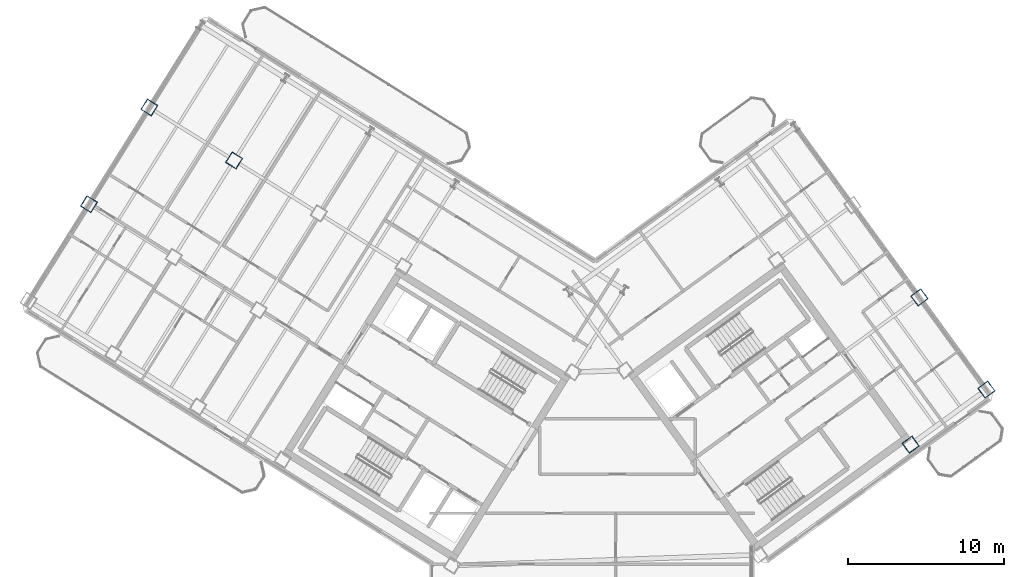
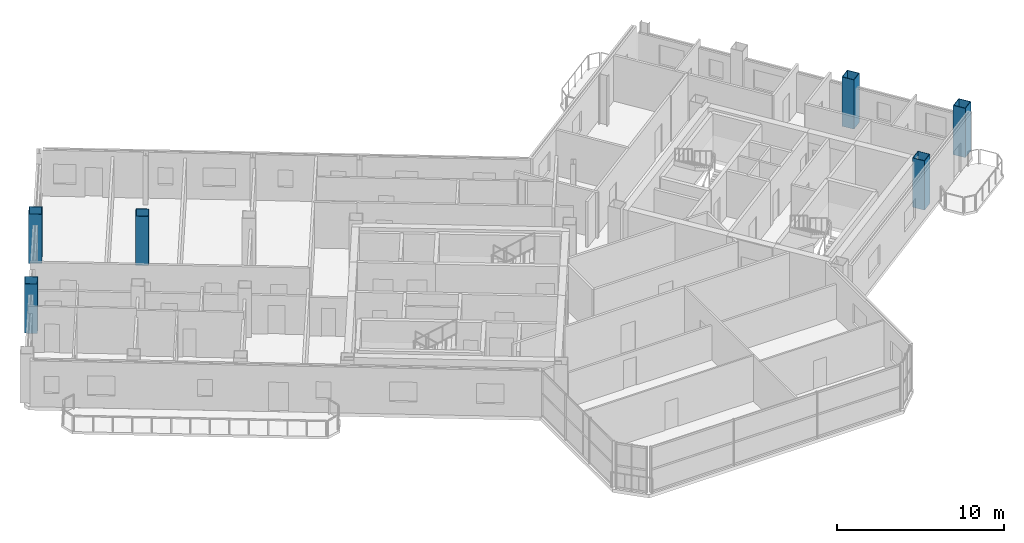
# One storey, part 2 of 21: 6 columns.
"""IFC4 building model written with IfcOpenShell, lengths in metres."""

from ifc_helpers import new_model, si_unit, direction, frame, origin, origin_2d, place, context, subcontext, project, spatial, hollow_rectangle, extrude, source, transform, mapped, material, material_profile, profile_set, type_object, element, save


model = new_model("IFC4")

# Units and contexts
model_context = context("Model", 3, precision=1e-05, world=origin(), true_north=direction((0.0, 1.0)))
body_context = subcontext(model_context, "Body", "Model", "MODEL_VIEW")
ifc_project = project(units=[si_unit("LENGTHUNIT", "METRE"), si_unit("AREAUNIT", "SQUARE_METRE"), si_unit("VOLUMEUNIT", "CUBIC_METRE"), si_unit("PLANEANGLEUNIT", "RADIAN"), si_unit("MASSUNIT", "GRAM", prefix="KILO")], contexts=[model_context])

# Site, building, storey
site_placement = place(None, origin())
site = spatial("IfcSite", under=ifc_project, at=site_placement, CompositionType="ELEMENT")
building_placement = place(site_placement, origin())
building = spatial("IfcBuilding", under=site, at=building_placement, Name="Tlacorven Tower", CompositionType="ELEMENT")
storey_placement = place(building_placement, frame((0.0, 0.0, 214.800048828125)))
storey = spatial("IfcBuildingStorey", under=building, at=storey_placement, Name="L54", CompositionType="ELEMENT", Elevation=214.800048828125)

# Columns
ifc_material = material(Name="Steel S460M", Category="steel")
ifc_material_profile = material_profile(ifc_material, hollow_rectangle(XDim=0.800048828125, YDim=0.800048828125, WallThickness=0.031982421875, at=origin_2d()), Name="BOX 800X800X32")
ifc_profile_set = profile_set([ifc_material_profile], Name="Steel S460M")
column_type = type_object("IfcColumnType", Name="COL-TWR-S3", PredefinedType="COLUMN", material=ifc_profile_set)
shared_shape = source(origin(), body_context, "Body", "SweptSolid", [
    extrude(hollow_rectangle(XDim=0.800048828125, YDim=0.800048828125, WallThickness=0.031982421875, at=origin_2d()), origin(), (0.0, 0.0, 1.0), 3.599853515625),
])
for number, where, z_axis, x_axis, name in (
    (1, (19.072998046875, 38.034423828125, 0.0), (0.0, 0.0, 1.0), (-0.848048096156, 0.529919264233, 0.0), "L54 column COL-L54-W5-2"),
    (2, (13.6455078125, 41.42578125, 0.0), (0.0, 0.0, 1.0), (-0.848048096156, 0.529919264233, 0.0), "L54 column COL-L54-W6-2"),
    (3, (9.777099609375, 35.235107421875, 0.0), (0.0, 0.0, 1.0), (-0.848048096156, 0.529919264233, 0.0), "L54 column COL-L54-W6-3"),
    (4, (62.41357421875, 19.826904296875, 0.0), (0.0, 0.0, 1.0), (0.809016994375, 0.587785252292, 0.0), "L54 column COL-L54-E3-1"),
    (5, (67.267822265625, 23.353515625, 0.0), (0.0, 0.0, 1.0), (0.809016994375, 0.587785252292, 0.0), "L54 column COL-L54-E4-1"),
    (6, (62.976806640625, 29.25927734375, 0.0), (0.0, 0.0, 1.0), (0.809016994375, 0.587785252292, 0.0), "L54 column COL-L54-E4-2"),
):
    element("IfcColumn", number, at=place(storey_placement, frame(where, z_axis=z_axis, x_axis=x_axis)), inside=storey, type_object=column_type, Name=name, PredefinedType="COLUMN", context=body_context, shape_type="MappedRepresentation", body=[
        mapped(shared_shape, transform((0.0, 0.0, 0.0), scale=1.0)),
    ])

save(model, "model.ifc")
